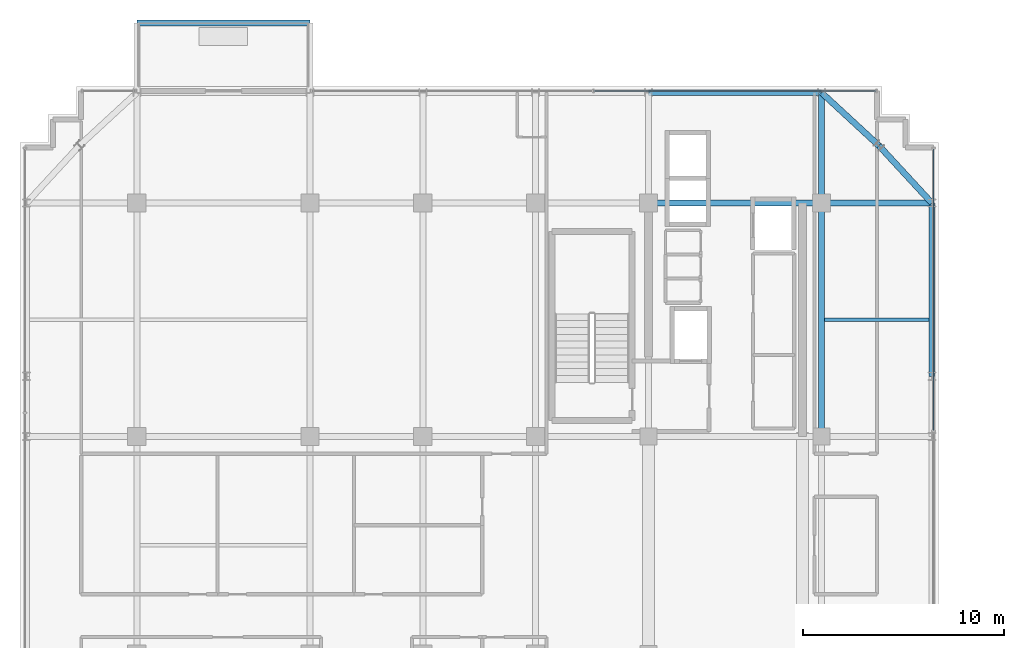
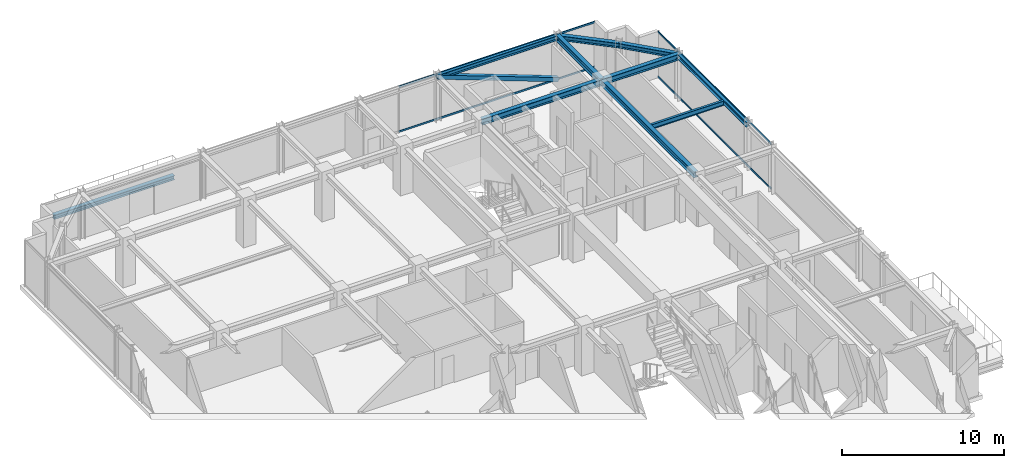
# One storey, part 21 of 31: 10 beams, 5 members, 2 elements without a shape of their own.
"""IFC4 building model written with IfcOpenShell, lengths in metres."""

from ifc_helpers import new_model, si_unit, direction, frame, origin, origin_2d, place, context, subcontext, project, spatial, hollow_rectangle, i_section, extrude, source, transform, mapped, material, material_profile, profile_set, type_object, element, aggregate, save


model = new_model("IFC4")

# Units and contexts
model_context = context("Model", 3, precision=1e-05, world=origin(), true_north=direction((0.0, 1.0)))
body_context = subcontext(model_context, "Body", "Model", "MODEL_VIEW")
ifc_project = project(units=[si_unit("LENGTHUNIT", "METRE"), si_unit("AREAUNIT", "SQUARE_METRE"), si_unit("VOLUMEUNIT", "CUBIC_METRE"), si_unit("PLANEANGLEUNIT", "RADIAN"), si_unit("MASSUNIT", "GRAM", prefix="KILO")], contexts=[model_context])

# Site, building, storey
site_placement = place(None, origin())
site = spatial("IfcSite", under=ifc_project, at=site_placement, CompositionType="ELEMENT")
building_placement = place(site_placement, origin())
building = spatial("IfcBuilding", under=site, at=building_placement, Name="Nahalor Promenade Grand Hotel", CompositionType="ELEMENT")
storey_placement = place(building_placement, frame((0.0, 0.0, 327.14990234375)))
storey = spatial("IfcBuildingStorey", under=building, at=storey_placement, Name="L84", CompositionType="ELEMENT", Elevation=327.14990234375)

# Beams
ifc_material_1 = material(Name="Steel S355JR", Category="steel")
ifc_material_profile_1 = material_profile(ifc_material_1, i_section(OverallWidth=0.3, OverallDepth=0.32, WebThickness=0.0115, FlangeThickness=0.0205, at=origin_2d()), Name="HEB 320")
ifc_profile_set_1 = profile_set([ifc_material_profile_1], Name="Steel S355JR")
beam_type_1 = type_object("IfcBeamType", Name="Beam-BalcEdge-HEB320", PredefinedType="SPANDREL", material=ifc_profile_set_1)
shared_shape_1 = source(origin(), body_context, "Body", "SweptSolid", [
    extrude(i_section(OverallWidth=0.3, OverallDepth=0.32, WebThickness=0.0115, FlangeThickness=0.0205, at=origin_2d()), origin(), (0.0, 0.0, 1.0), 8.60009765625),
])
beam_1_placement = place(storey_placement, frame((-17.0, 25.93994140625, -0.43994140625), z_axis=(1.0, 0.0, 0.0), x_axis=(0.0, 1.0, 0.0)))
element("IfcBeam", 1, at=beam_1_placement, inside=storey, type_object=beam_type_1, Name="BM-L84-BC-01-F", PredefinedType="SPANDREL", context=body_context, shape_type="MappedRepresentation", body=[
    mapped(shared_shape_1, transform((0.0, 0.0, 0.0), scale=1.0)),
])
ifc_material_profile_2 = material_profile(ifc_material_1, i_section(OverallWidth=0.3, OverallDepth=0.45, WebThickness=0.014, FlangeThickness=0.026, at=origin_2d()), Name="HEB 450")
ifc_profile_set_2 = profile_set([ifc_material_profile_2], Name="Steel S355JR")
beam_type_2 = type_object("IfcBeamType", Name="Beam-Girder-HEB450", PredefinedType="BEAM", material=ifc_profile_set_2)
shared_shape_2 = source(origin(), body_context, "Body", "SweptSolid", [
    extrude(i_section(OverallWidth=0.3, OverallDepth=0.45, WebThickness=0.014, FlangeThickness=0.026, at=origin_2d()), origin(), (0.0, 0.0, 1.0), 8.60009765625),
])
beam_2_placement = place(storey_placement, frame((8.39990234375, 17.0, 3.275146484375), z_axis=(1.0, 0.0, 0.0), x_axis=(0.0, 1.0, 0.0)))
element("IfcBeam", 2, at=beam_2_placement, inside=storey, type_object=beam_type_2, Name="BM-L84-GX-3-5", PredefinedType="BEAM", context=body_context, shape_type="MappedRepresentation", body=[
    mapped(shared_shape_2, transform((0.0, 0.0, 0.0), scale=1.0)),
])
shared_shape_3 = source(origin(), body_context, "Body", "SweptSolid", [
    extrude(i_section(OverallWidth=0.3, OverallDepth=0.45, WebThickness=0.014, FlangeThickness=0.026, at=origin_2d()), origin(), (0.0, 0.0, 1.0), 11.60009765625),
])
beam_3_placement = place(storey_placement, frame((17.0, 5.39990234375, 3.275146484375), z_axis=(0.0, 1.0, 0.0), x_axis=(-1.0, 0.0, 0.0)))
element("IfcBeam", 3, at=beam_3_placement, inside=storey, type_object=beam_type_2, Name="BM-L84-GY-5-3", PredefinedType="BEAM", context=body_context, shape_type="MappedRepresentation", body=[
    mapped(shared_shape_3, transform((0.0, 0.0, 0.0), scale=1.0)),
])
shared_shape_4 = source(origin(), body_context, "Body", "SweptSolid", [
    extrude(i_section(OverallWidth=0.3, OverallDepth=0.45, WebThickness=0.014, FlangeThickness=0.026, at=origin_2d()), origin(), (0.0, 0.0, 1.0), 5.47998046875),
])
for number, where, z_axis, x_axis, name in (
    (4, (17.0, 17.0, 3.275146484375), (1.0, 0.0, 0.0), (0.0, 1.0, 0.0), "BM-L84-GX-3-6"),
    (5, (17.0, 17.0, 3.275146484375), (0.0, 1.0, 0.0), (-1.0, 0.0, 0.0), "BM-L84-GY-5-4"),
):
    element("IfcBeam", number, at=place(storey_placement, frame(where, z_axis=z_axis, x_axis=x_axis)), inside=storey, type_object=beam_type_2, Name=name, PredefinedType="BEAM", context=body_context, shape_type="MappedRepresentation", body=[
        mapped(shared_shape_4, transform((0.0, 0.0, 0.0), scale=1.0)),
    ])
ifc_material_profile_3 = material_profile(ifc_material_1, i_section(OverallWidth=0.3, OverallDepth=0.36, WebThickness=0.0125, FlangeThickness=0.0225, at=origin_2d()), Name="HEB 360")
ifc_profile_set_3 = profile_set([ifc_material_profile_3], Name="Steel S355JR")
beam_type_3 = type_object("IfcBeamType", Name="Beam-Spandrel-HEB360", PredefinedType="SPANDREL", material=ifc_profile_set_3)
shared_shape_5 = source(origin(), body_context, "Body", "SweptSolid", [
    extrude(i_section(OverallWidth=0.3, OverallDepth=0.36, WebThickness=0.0125, FlangeThickness=0.0225, at=origin_2d()), origin(), (0.0, 0.0, 1.0), 8.60009765625),
])
for number, where, z_axis, x_axis, name in (
    (6, (8.39990234375, 22.47998046875, 3.320068359375), (1.0, 0.0, 0.0), (0.0, 1.0, 0.0), "BM-L84-SP-N-4"),
    (7, (22.47998046875, 8.39990234375, 3.320068359375), (0.0, 1.0, 0.0), (-1.0, 0.0, 0.0), "BM-L84-SP-E-4"),
):
    element("IfcBeam", number, at=place(storey_placement, frame(where, z_axis=z_axis, x_axis=x_axis)), inside=storey, type_object=beam_type_3, Name=name, PredefinedType="SPANDREL", context=body_context, shape_type="MappedRepresentation", body=[
        mapped(shared_shape_5, transform((0.0, 0.0, 0.0), scale=1.0)),
    ])
shared_shape_6 = source(origin(), body_context, "Body", "SweptSolid", [
    extrude(i_section(OverallWidth=0.3, OverallDepth=0.36, WebThickness=0.0125, FlangeThickness=0.0225, at=origin_2d()), origin(), (0.0, 0.0, 1.0), 3.878173828125),
])
for number, where, z_axis, x_axis, name in (
    (8, (17.0, 22.47998046875, 3.320068359375), (0.73492893846, -0.678144125843, 0.0), (0.678144125843, 0.73492893846, 0.0), "BM-L84-SPC-NE-1"),
    (9, (19.85009765625, 19.85009765625, 3.320068359375), (0.678144125843, -0.73492893846, 0.0), (0.73492893846, 0.678144125843, 0.0), "BM-L84-SPC-NE-2"),
):
    element("IfcBeam", number, at=place(storey_placement, frame(where, z_axis=z_axis, x_axis=x_axis)), inside=storey, type_object=beam_type_3, Name=name, PredefinedType="SPANDREL", context=body_context, shape_type="MappedRepresentation", body=[
        mapped(shared_shape_6, transform((0.0, 0.0, 0.0), scale=1.0)),
    ])
ifc_material_profile_4 = material_profile(ifc_material_1, i_section(OverallWidth=0.17, OverallDepth=0.36, WebThickness=0.008, FlangeThickness=0.0127, at=origin_2d()), Name="IPE 360")
ifc_profile_set_4 = profile_set([ifc_material_profile_4], Name="Steel S355JR")
beam_type_4 = type_object("IfcBeamType", Name="Beam-Joist-IPE360", PredefinedType="JOIST", material=ifc_profile_set_4)
shared_shape_7 = source(origin(), body_context, "Body", "SweptSolid", [
    extrude(i_section(OverallWidth=0.17, OverallDepth=0.36, WebThickness=0.008, FlangeThickness=0.0127, at=origin_2d()), origin(), (0.0, 0.0, 1.0), 5.18017578125),
])
beam_4_placement = place(storey_placement, frame((17.14990234375, 11.199951171875, 3.320068359375), z_axis=(1.0, 0.0, 0.0), x_axis=(0.0, 1.0, 0.0)))
element("IfcBeam", 10, at=beam_4_placement, inside=storey, type_object=beam_type_4, Name="BM-L84-JSE-1-2", PredefinedType="JOIST", context=body_context, shape_type="MappedRepresentation", body=[
    mapped(shared_shape_7, transform((0.0, 0.0, 0.0), scale=1.0)),
])

# Member
ifc_material_profile_5 = material_profile(ifc_material_1, hollow_rectangle(XDim=0.3, YDim=0.3, WallThickness=0.016, at=origin_2d()), Name="SHS 300x300x16")
ifc_profile_set_5 = profile_set([ifc_material_profile_5], Name="Steel S355JR")
member_type_1 = type_object("IfcMemberType", Name="Mem-CrownBrace-SHS300", PredefinedType="BRACE", material=ifc_profile_set_5)
shared_shape_8 = source(origin(), body_context, "Body", "SweptSolid", [
    extrude(hollow_rectangle(XDim=0.3, YDim=0.3, WallThickness=0.016, at=origin_2d()), origin(), (0.0, 0.0, 1.0), 9.176025390625),
])
member_1_placement = place(storey_placement, frame((17.0, 22.47998046875, 0.150146484375), z_axis=(-0.937224884492, 0.0, 0.348725559559), x_axis=(0.0, -1.0, 0.0)))
element("IfcMember", 11, at=member_1_placement, inside=storey, type_object=member_type_1, Name="EXO-L84-N-1", PredefinedType="BRACE", context=body_context, shape_type="MappedRepresentation", body=[
    mapped(shared_shape_8, transform((0.0, 0.0, 0.0), scale=1.0)),
])

# Curtain wall, members
ifc_material_2 = material(Name="Anodised Bronze Aluminium EN AW-6063 T6", Category="aluminium")
curtain_wall_type = type_object("IfcCurtainWallType", Name="CW2 Typical Hotel Flush Bronze Unitised Curtain Wall", PredefinedType="USERDEFINED", material=ifc_material_2)
curtain_wall_1_placement = place(storey_placement, origin())
curtain_wall_1 = element("IfcCurtainWall", 12, at=curtain_wall_1_placement, inside=storey, type_object=curtain_wall_type, Name="L84 Curtain Wall CW-L84-N-3", ObjectType="UNITISED_CURTAIN_WALL", PredefinedType="USERDEFINED")
ifc_material_profile_6 = material_profile(ifc_material_2, hollow_rectangle(XDim=0.065, YDim=0.13, WallThickness=0.004, at=origin_2d()), Name="CWT 65x130x4")
ifc_profile_set_6 = profile_set([ifc_material_profile_6], Name="Anodised Bronze Aluminium EN AW-6063 T6")
member_type_2 = type_object("IfcMemberType", Name="CWT2 Typical Bronze Transom 65x130", PredefinedType="USERDEFINED", material=ifc_profile_set_6)
shared_shape_9 = source(origin(), body_context, "Body", "SweptSolid", [
    extrude(hollow_rectangle(XDim=0.065, YDim=0.13, WallThickness=0.004, at=origin_2d()), origin(), (0.0, 0.0, 1.0), 13.982666015625),
])
member_2_placement = place(storey_placement, frame((5.71240234375, 22.56005859375, 0.065185546875), z_axis=(1.0, 0.0, 0.0), x_axis=(0.0, 1.0, 0.0)))
member_2 = element("IfcMember", 13, at=member_2_placement, type_object=member_type_2, Name="CW-L84-N-3 Transom 1-0", ObjectType="TRANSOM", PredefinedType="USERDEFINED", context=body_context, shape_type="MappedRepresentation", body=[
    mapped(shared_shape_9, transform((0.0, 0.0, 0.0), scale=1.0)),
])
member_3_placement = place(storey_placement, frame((5.71240234375, 22.56005859375, 3.43505859375), z_axis=(1.0, 0.0, 0.0), x_axis=(0.0, 1.0, 0.0)))
member_3 = element("IfcMember", 14, at=member_3_placement, type_object=member_type_2, Name="CW-L84-N-3 Transom 1-1", ObjectType="TRANSOM", PredefinedType="USERDEFINED", context=body_context, shape_type="MappedRepresentation", body=[
    mapped(shared_shape_9, transform((0.0, 0.0, 0.0), scale=1.0)),
])
aggregate(curtain_wall_1, [member_2, member_3])

curtain_wall_2_placement = place(storey_placement, origin())
curtain_wall_2 = element("IfcCurtainWall", 15, at=curtain_wall_2_placement, inside=storey, type_object=curtain_wall_type, Name="L84 Curtain Wall CW-L84-E-3", ObjectType="UNITISED_CURTAIN_WALL", PredefinedType="USERDEFINED")
member_4_placement = place(storey_placement, frame((22.56005859375, 5.71240234375, 0.065185546875), z_axis=(0.0, 1.0, 0.0), x_axis=(-1.0, 0.0, 0.0)))
member_4 = element("IfcMember", 16, at=member_4_placement, type_object=member_type_2, Name="CW-L84-E-3 Transom 1-0", ObjectType="TRANSOM", PredefinedType="USERDEFINED", context=body_context, shape_type="MappedRepresentation", body=[
    mapped(shared_shape_9, transform((0.0, 0.0, 0.0), scale=1.0)),
])
member_5_placement = place(storey_placement, frame((22.56005859375, 5.71240234375, 3.43505859375), z_axis=(0.0, 1.0, 0.0), x_axis=(-1.0, 0.0, 0.0)))
member_5 = element("IfcMember", 17, at=member_5_placement, type_object=member_type_2, Name="CW-L84-E-3 Transom 1-1", ObjectType="TRANSOM", PredefinedType="USERDEFINED", context=body_context, shape_type="MappedRepresentation", body=[
    mapped(shared_shape_9, transform((0.0, 0.0, 0.0), scale=1.0)),
])
aggregate(curtain_wall_2, [member_4, member_5])

save(model, "model.ifc")
